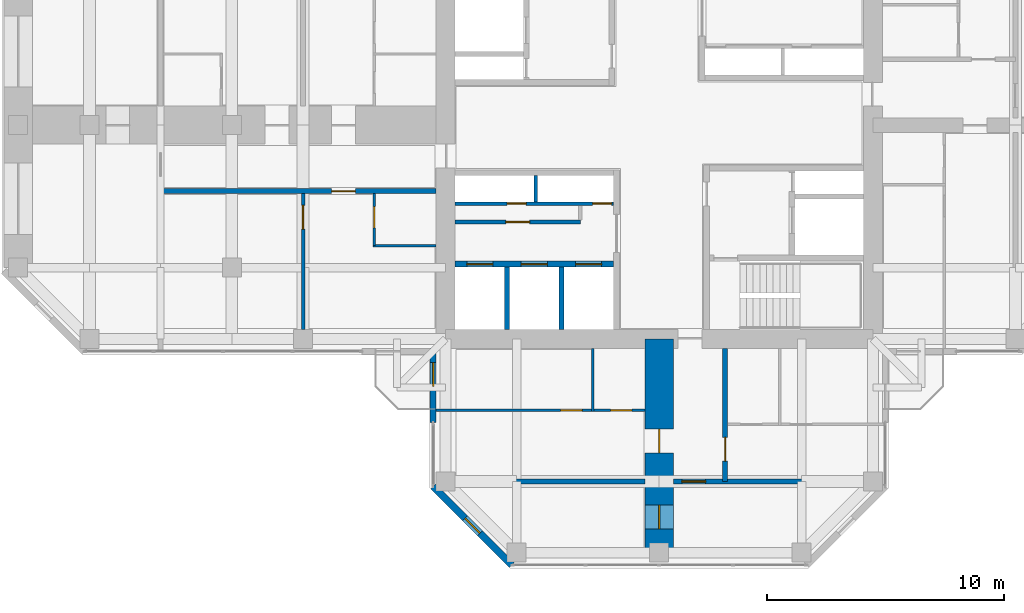
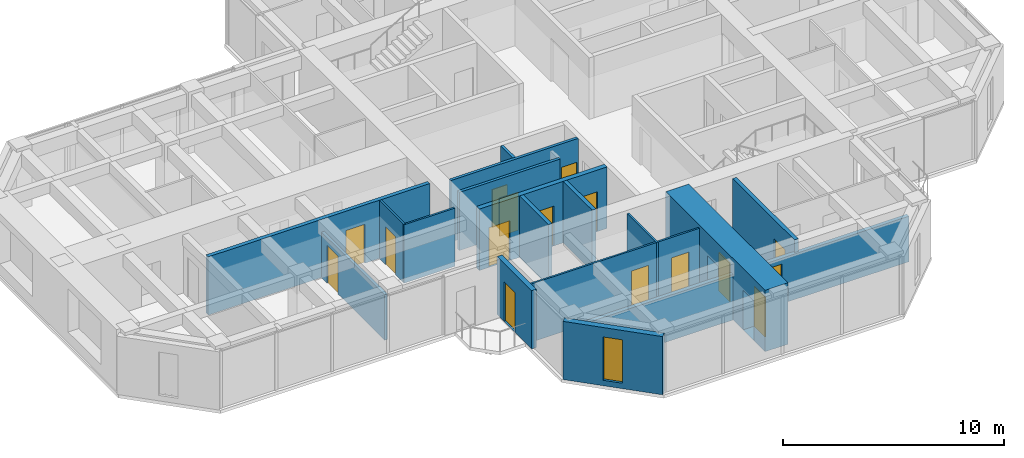
# One storey, part 8 of 13: 18 walls, 16 doors, 1 window, 17 openings.
"""IFC4 building model written with IfcOpenShell, lengths in metres."""

from ifc_helpers import new_model, si_unit, direction, frame, frame_2d, origin, place, context, subcontext, project, spatial, rectangle, hollow_rectangle, extrude, material, layer, layer_set, constituent, constituent_set, type_object, element, fill, save


model = new_model("IFC4")

# Units and contexts
model_context = context("Model", 3, precision=1e-05, world=origin(), true_north=direction((0.0, 1.0)))
body_context = subcontext(model_context, "Body", "Model", "MODEL_VIEW")
ifc_project = project(units=[si_unit("LENGTHUNIT", "METRE"), si_unit("AREAUNIT", "SQUARE_METRE"), si_unit("VOLUMEUNIT", "CUBIC_METRE"), si_unit("PLANEANGLEUNIT", "RADIAN"), si_unit("MASSUNIT", "GRAM", prefix="KILO")], contexts=[model_context])

# Site, building, storey
site_placement = place(None, origin())
site = spatial("IfcSite", under=ifc_project, at=site_placement, CompositionType="ELEMENT")
building_placement = place(site_placement, origin())
building = spatial("IfcBuilding", under=site, at=building_placement, Name="Torre Cruceta", CompositionType="ELEMENT")
storey_placement = place(building_placement, frame((0.0, 0.0, 239.10009765625)))
storey = spatial("IfcBuildingStorey", under=building, at=storey_placement, Name="L61", CompositionType="ELEMENT", Elevation=239.10009765625)

# Wall
ifc_material_1 = material(Name="Water-resistant plasterboard on steel studs", Category="steel")
ifc_layer_1 = layer(ifc_material_1, 0.10009765625)
ifc_layer_set_1 = layer_set([ifc_layer_1], Name="Water-resistant plasterboard on steel studs")
wall_type_1 = type_object("IfcWallType", Name="BATHROOM WALL 100", PredefinedType="PARTITIONING", material=ifc_layer_set_1)
wall_1_placement = place(storey_placement, frame((-2.800048828125, -9.39990234375, 0.0), z_axis=(0.0, 0.0, 1.0), x_axis=(0.0, -1.0, 0.0)))
element("IfcWall", 1, at=wall_1_placement, inside=storey, type_object=wall_type_1, Name="PT4 L61-S-U1RBB", PredefinedType="PARTITIONING", context=body_context, shape_type="SweptSolid", body=[
    extrude(rectangle(XDim=2.650146484375, YDim=0.10009765625, at=frame_2d((1.3251953125, 0.0))), origin(), (0.0, 0.0, 1.0), 3.219970703125),
])

# Wall, openings, doors
wall_2_placement = place(storey_placement, frame((-9.39501953125, -12.0, 0.0), z_axis=(0.0, 0.0, 1.0), x_axis=(1.0, 0.0, 0.0)))
wall_2 = element("IfcWall", 2, at=wall_2_placement, inside=storey, type_object=wall_type_1, Name="PT4 L61-S-U1RBS", PredefinedType="PARTITIONING", context=body_context, shape_type="SweptSolid", body=[
    extrude(rectangle(XDim=8.794921875, YDim=0.10009765625, at=frame_2d((4.3974609375, 0.0))), origin(), (0.0, 0.0, 1.0), 3.219970703125),
])
opening_1_placement = place(wall_2_placement, frame((5.2451171875, 0.0, 0.0)))
opening_1 = element("IfcOpeningElement", 3, at=opening_1_placement, cuts=wall_2, Name="Opening D7", PredefinedType="OPENING", context=body_context, shape_type="SweptSolid", body=[
    extrude(rectangle(XDim=0.89990234375, YDim=2.10009765625, at=frame_2d((0.449951171875, 1.050048828125))), frame((0.0, 0.06005859375, 0.0), z_axis=(0.0, -1.0, 0.0), x_axis=(1.0, 0.0, 0.0)), (0.0, 0.0, 1.0), 0.1201171875),
])
opening_2_placement = place(wall_2_placement, frame((7.344970703125, 0.0, 0.0)))
opening_2 = element("IfcOpeningElement", 4, at=opening_2_placement, cuts=wall_2, Name="Opening D7", PredefinedType="OPENING", context=body_context, shape_type="SweptSolid", body=[
    extrude(rectangle(XDim=0.89990234375, YDim=2.10009765625, at=frame_2d((0.449951171875, 1.050048828125))), frame((0.0, 0.06005859375, 0.0), z_axis=(0.0, -1.0, 0.0), x_axis=(1.0, 0.0, 0.0)), (0.0, 0.0, 1.0), 0.1201171875),
])
ifc_material_2 = material(Name="Timber door", Category="wood")
door_type_1 = type_object("IfcDoorType", Name="BATHROOM DOOR 900X2100", OperationType="SINGLE_SWING_LEFT", PredefinedType="DOOR", material=ifc_material_2)
door_1_placement = place(opening_1_placement, origin())
door_1 = element("IfcDoor", 5, at=door_1_placement, inside=storey, type_object=door_type_1, Name="D7 L61-S-U1RBS-D1", OperationType="SINGLE_SWING_RIGHT", OverallHeight=2.10009765625, OverallWidth=0.89990234375, PredefinedType="DOOR", context=body_context, shape_type="SweptSolid", body=[
    extrude(rectangle(XDim=0.89990234375, YDim=2.10009765625, at=frame_2d((0.449951171875, 1.050048828125))), frame((0.0, 0.02490234375, 0.0), z_axis=(0.0, -1.0, 0.0), x_axis=(1.0, 0.0, 0.0)), (0.0, 0.0, 1.0), 0.050048828125),
])
fill(opening_1, door_1)
door_2_placement = place(opening_2_placement, origin())
door_2 = element("IfcDoor", 6, at=door_2_placement, inside=storey, type_object=door_type_1, Name="D7 L61-S-U1RBS-D2", OperationType="SINGLE_SWING_RIGHT", OverallHeight=2.10009765625, OverallWidth=0.89990234375, PredefinedType="DOOR", context=body_context, shape_type="SweptSolid", body=[
    extrude(rectangle(XDim=0.89990234375, YDim=2.10009765625, at=frame_2d((0.449951171875, 1.050048828125))), frame((0.0, 0.02490234375, 0.0), z_axis=(0.0, -1.0, 0.0), x_axis=(1.0, 0.0, 0.0)), (0.0, 0.0, 1.0), 0.050048828125),
])
fill(opening_2, door_2)

# Wall
wall_3_placement = place(storey_placement, frame((-9.39990234375, -5.074951171875, 0.0), z_axis=(0.0, 0.0, 1.0), x_axis=(-1.0, 0.0, 0.0)))
element("IfcWall", 7, at=wall_3_placement, inside=storey, type_object=wall_type_1, Name="PT4 L61-W-U1LBB", PredefinedType="PARTITIONING", context=body_context, shape_type="SweptSolid", body=[
    extrude(rectangle(XDim=2.650146484375, YDim=0.10009765625, at=frame_2d((1.3251953125, 0.0))), origin(), (0.0, 0.0, 1.0), 3.219970703125),
])

# Wall, opening, door
wall_4_placement = place(storey_placement, frame((-12.0, -2.875, 0.0), z_axis=(0.0, 0.0, 1.0), x_axis=(0.0, -1.0, 0.0)))
wall_4 = element("IfcWall", 8, at=wall_4_placement, inside=storey, type_object=wall_type_1, Name="PT4 L61-W-U1LBS", PredefinedType="PARTITIONING", context=body_context, shape_type="SweptSolid", body=[
    extrude(rectangle(XDim=2.199951171875, YDim=0.10009765625, at=frame_2d((1.10009765625, 0.0))), origin(), (0.0, 0.0, 1.0), 3.219970703125),
])
opening_3_placement = place(wall_4_placement, frame((0.550048828125, 0.0, 0.0)))
opening_3 = element("IfcOpeningElement", 9, at=opening_3_placement, cuts=wall_4, Name="Opening D7", PredefinedType="OPENING", context=body_context, shape_type="SweptSolid", body=[
    extrude(rectangle(XDim=0.89990234375, YDim=2.10009765625, at=frame_2d((0.449951171875, 1.050048828125))), frame((0.0, 0.06005859375, 0.0), z_axis=(0.0, -1.0, 0.0), x_axis=(1.0, 0.0, 0.0)), (0.0, 0.0, 1.0), 0.1201171875),
])
door_3_placement = place(opening_3_placement, origin())
door_3 = element("IfcDoor", 10, at=door_3_placement, inside=storey, type_object=door_type_1, Name="D7 L61-W-U1LBS-D1", OperationType="SINGLE_SWING_LEFT", OverallHeight=2.10009765625, OverallWidth=0.89990234375, PredefinedType="DOOR", context=body_context, shape_type="SweptSolid", body=[
    extrude(rectangle(XDim=0.89990234375, YDim=2.10009765625, at=frame_2d((0.449951171875, 1.050048828125))), frame((0.0, 0.02490234375, 0.0), z_axis=(0.0, -1.0, 0.0), x_axis=(1.0, 0.0, 0.0)), (0.0, 0.0, 1.0), 0.050048828125),
])
fill(opening_3, door_3)

# Wall, openings, doors
ifc_material_3 = material(Name="Concrete G60 (fck 60 MPa)", Category="concrete")
ifc_layer_2 = layer(ifc_material_3, 0.25)
ifc_layer_set_2 = layer_set([ifc_layer_2], Name="Concrete G60 (fck 60 MPa)")
wall_type_2 = type_object("IfcWallType", Name="CORE INNER WALL 250 G60", PredefinedType="SHEAR", material=ifc_layer_set_2)
wall_5_placement = place(storey_placement, frame((-1.925048828125, -5.85009765625, 0.0), z_axis=(0.0, 0.0, 1.0), x_axis=(-1.0, 0.0, 0.0)))
wall_5 = element("IfcWall", 11, at=wall_5_placement, inside=storey, type_object=wall_type_2, Name="CW4 L61 SW-LV", PredefinedType="SHEAR", context=body_context, shape_type="SweptSolid", body=[
    extrude(rectangle(XDim=6.675048828125, YDim=0.25, at=frame_2d((3.33740234375, 0.0))), origin(), (0.0, 0.0, 1.0), 3.39990234375),
])
opening_4_placement = place(wall_5_placement, frame((0.495849609375, 0.0, 0.0)))
opening_4 = element("IfcOpeningElement", 12, at=opening_4_placement, cuts=wall_5, Name="Opening LD1", PredefinedType="OPENING", context=body_context, shape_type="SweptSolid", body=[
    extrude(rectangle(XDim=1.10009765625, YDim=2.199951171875, at=frame_2d((0.550048828125, 1.10009765625))), frame((0.0, 0.135009765625, 0.0), z_axis=(0.0, -1.0, 0.0), x_axis=(1.0, 0.0, 0.0)), (0.0, 0.0, 1.0), 0.27001953125),
])
opening_5_placement = place(wall_5_placement, frame((2.78759765625, 0.0, 0.0)))
opening_5 = element("IfcOpeningElement", 13, at=opening_5_placement, cuts=wall_5, Name="Opening LD1", PredefinedType="OPENING", context=body_context, shape_type="SweptSolid", body=[
    extrude(rectangle(XDim=1.10009765625, YDim=2.199951171875, at=frame_2d((0.550048828125, 1.10009765625))), frame((0.0, 0.135009765625, 0.0), z_axis=(0.0, -1.0, 0.0), x_axis=(1.0, 0.0, 0.0)), (0.0, 0.0, 1.0), 0.27001953125),
])
opening_6_placement = place(wall_5_placement, frame((5.0791015625, 0.0, 0.0)))
opening_6 = element("IfcOpeningElement", 14, at=opening_6_placement, cuts=wall_5, Name="Opening LD1", PredefinedType="OPENING", context=body_context, shape_type="SweptSolid", body=[
    extrude(rectangle(XDim=1.10009765625, YDim=2.199951171875, at=frame_2d((0.550048828125, 1.10009765625))), frame((0.0, 0.135009765625, 0.0), z_axis=(0.0, -1.0, 0.0), x_axis=(1.0, 0.0, 0.0)), (0.0, 0.0, 1.0), 0.27001953125),
])
ifc_material_4 = material(Name="Stainless steel 1.4401", Category="steel")
door_type_2 = type_object("IfcDoorType", Name="LIFT LANDING DOOR 1100X2200", OperationType="DOUBLE_DOOR_SLIDING", PredefinedType="DOOR", material=ifc_material_4)
door_4_placement = place(opening_4_placement, origin())
door_4 = element("IfcDoor", 15, at=door_4_placement, inside=storey, type_object=door_type_2, Name="Lift landing door R1", OperationType="DOUBLE_DOOR_SLIDING", OverallHeight=2.199951171875, OverallWidth=1.10009765625, PredefinedType="DOOR", context=body_context, shape_type="SweptSolid", body=[
    extrude(rectangle(XDim=1.10009765625, YDim=2.199951171875, at=frame_2d((0.550048828125, 1.10009765625))), frame((0.0, 0.02490234375, 0.0), z_axis=(0.0, -1.0, 0.0), x_axis=(1.0, 0.0, 0.0)), (0.0, 0.0, 1.0), 0.050048828125),
])
fill(opening_4, door_4)
door_5_placement = place(opening_5_placement, origin())
door_5 = element("IfcDoor", 16, at=door_5_placement, inside=storey, type_object=door_type_2, Name="Lift landing door R2", OperationType="DOUBLE_DOOR_SLIDING", OverallHeight=2.199951171875, OverallWidth=1.10009765625, PredefinedType="DOOR", context=body_context, shape_type="SweptSolid", body=[
    extrude(rectangle(XDim=1.10009765625, YDim=2.199951171875, at=frame_2d((0.550048828125, 1.10009765625))), frame((0.0, 0.02490234375, 0.0), z_axis=(0.0, -1.0, 0.0), x_axis=(1.0, 0.0, 0.0)), (0.0, 0.0, 1.0), 0.050048828125),
])
fill(opening_5, door_5)
door_6_placement = place(opening_6_placement, origin())
door_6 = element("IfcDoor", 17, at=door_6_placement, inside=storey, type_object=door_type_2, Name="Lift landing door R3", OperationType="DOUBLE_DOOR_SLIDING", OverallHeight=2.199951171875, OverallWidth=1.10009765625, PredefinedType="DOOR", context=body_context, shape_type="SweptSolid", body=[
    extrude(rectangle(XDim=1.10009765625, YDim=2.199951171875, at=frame_2d((0.550048828125, 1.10009765625))), frame((0.0, 0.02490234375, 0.0), z_axis=(0.0, -1.0, 0.0), x_axis=(1.0, 0.0, 0.0)), (0.0, 0.0, 1.0), 0.050048828125),
])
fill(opening_6, door_6)

# Wall, opening, door
ifc_material_5 = material(Name="Concrete G25 (fck 25 MPa)", Category="concrete")
ifc_layer_3 = layer(ifc_material_5, 0.199951171875)
ifc_layer_set_3 = layer_set([ifc_layer_3], Name="Concrete G25 (fck 25 MPa)")
wall_type_3 = type_object("IfcWallType", Name="CORRIDOR WALL 200", PredefinedType="SOLIDWALL", material=ifc_layer_set_3)
wall_6_placement = place(storey_placement, frame((2.77490234375, -9.39990234375, 0.0), z_axis=(0.0, 0.0, 1.0), x_axis=(0.0, -1.0, 0.0)))
wall_6 = element("IfcWall", 18, at=wall_6_placement, inside=storey, type_object=wall_type_3, Name="PT3 L61-S-CL", PredefinedType="SOLIDWALL", context=body_context, shape_type="SweptSolid", body=[
    extrude(rectangle(XDim=5.60009765625, YDim=0.199951171875, at=frame_2d((2.800048828125, 0.0))), origin(), (0.0, 0.0, 1.0), 3.219970703125),
])
opening_7_placement = place(wall_6_placement, frame((3.75, 0.0, 0.0)))
opening_7 = element("IfcOpeningElement", 19, at=opening_7_placement, cuts=wall_6, Name="Opening D6", PredefinedType="OPENING", context=body_context, shape_type="SweptSolid", body=[
    extrude(rectangle(XDim=1.0, YDim=2.14990234375, at=frame_2d((0.5, 1.074951171875))), frame((0.0, 0.10986328125, 0.0), z_axis=(0.0, -1.0, 0.0), x_axis=(1.0, 0.0, 0.0)), (0.0, 0.0, 1.0), 0.219970703125),
])
ifc_material_6 = material(Name="Timber fire door", Category="wood")
door_type_3 = type_object("IfcDoorType", Name="UNIT ENTRANCE DOOR 1000X2150", OperationType="SINGLE_SWING_LEFT", PredefinedType="DOOR", material=ifc_material_6)
door_7_placement = place(opening_7_placement, origin())
door_7 = element("IfcDoor", 20, at=door_7_placement, inside=storey, type_object=door_type_3, Name="D6 L61-S-CL-D1", OperationType="SINGLE_SWING_LEFT", OverallHeight=2.14990234375, OverallWidth=1.0, PredefinedType="DOOR", context=body_context, shape_type="SweptSolid", body=[
    extrude(rectangle(XDim=1.0, YDim=2.14990234375, at=frame_2d((0.5, 1.074951171875))), frame((0.0, 0.02490234375, 0.0), z_axis=(0.0, -1.0, 0.0), x_axis=(1.0, 0.0, 0.0)), (0.0, 0.0, 1.0), 0.050048828125),
])
fill(opening_7, door_7)

wall_7_placement = place(storey_placement, frame((-9.39990234375, -2.77490234375, 0.0), z_axis=(0.0, 0.0, 1.0), x_axis=(-1.0, 0.0, 0.0)))
wall_7 = element("IfcWall", 21, at=wall_7_placement, inside=storey, type_object=wall_type_3, Name="PT3 L61-W-CL", PredefinedType="SOLIDWALL", context=body_context, shape_type="SweptSolid", body=[
    extrude(rectangle(XDim=11.60009765625, YDim=0.199951171875, at=frame_2d((5.800048828125, 0.0))), origin(), (0.0, 0.0, 1.0), 3.219970703125),
])
opening_8_placement = place(wall_7_placement, frame((3.39990234375, 0.0, 0.0)))
opening_8 = element("IfcOpeningElement", 22, at=opening_8_placement, cuts=wall_7, Name="Opening D6", PredefinedType="OPENING", context=body_context, shape_type="SweptSolid", body=[
    extrude(rectangle(XDim=1.0, YDim=2.14990234375, at=frame_2d((0.5, 1.074951171875))), frame((0.0, 0.10986328125, 0.0), z_axis=(0.0, -1.0, 0.0), x_axis=(1.0, 0.0, 0.0)), (0.0, 0.0, 1.0), 0.219970703125),
])
door_8_placement = place(opening_8_placement, origin())
door_8 = element("IfcDoor", 23, at=door_8_placement, inside=storey, type_object=door_type_3, Name="D6 L61-W-CL-D1", OperationType="SINGLE_SWING_LEFT", OverallHeight=2.14990234375, OverallWidth=1.0, PredefinedType="DOOR", context=body_context, shape_type="SweptSolid", body=[
    extrude(rectangle(XDim=1.0, YDim=2.14990234375, at=frame_2d((0.5, 1.074951171875))), frame((0.0, 0.02490234375, 0.0), z_axis=(0.0, -1.0, 0.0), x_axis=(1.0, 0.0, 0.0)), (0.0, 0.0, 1.0), 0.050048828125),
])
fill(opening_8, door_8)

# Wall, opening, window
ifc_material_7 = material(Name="Concrete G30 (fck 30 MPa)", Category="concrete")
ifc_layer_4 = layer(ifc_material_7, 0.300048828125)
ifc_layer_set_4 = layer_set([ifc_layer_4], Name="Concrete G30 (fck 30 MPa)")
wall_type_4 = type_object("IfcWallType", Name="EXPOSED CONCRETE FACADE WALL 300", PredefinedType="SOLIDWALL", material=ifc_layer_set_4)
wall_8_placement = place(storey_placement, frame((-9.52001953125, -15.21533203125, 0.0), z_axis=(0.0, 0.0, 1.0), x_axis=(0.707106781187, -0.707106781187, 0.0)))
wall_8 = element("IfcWall", 24, at=wall_8_placement, inside=storey, type_object=wall_type_4, Name="EW1 facade wall L61 S chamfer 16", PredefinedType="SOLIDWALL", context=body_context, shape_type="SweptSolid", body=[
    extrude(rectangle(XDim=4.673583984375, YDim=0.300048828125, at=frame_2d((2.3369140625, 0.0))), origin(), (0.0, 0.0, 1.0), 3.219970703125),
])
opening_9_placement = place(wall_8_placement, frame((1.88671875, 0.0, 0.300048828125)))
opening_9 = element("IfcOpeningElement", 25, at=opening_9_placement, cuts=wall_8, Name="Opening WN5", PredefinedType="OPENING", context=body_context, shape_type="SweptSolid", body=[
    extrude(rectangle(XDim=0.89990234375, YDim=2.39990234375, at=frame_2d((0.449951171875, 1.199951171875))), frame((0.0, 0.159912109375, 0.0), z_axis=(0.0, -1.0, 0.0), x_axis=(1.0, 0.0, 0.0)), (0.0, 0.0, 1.0), 0.320068359375),
])
ifc_material_8 = material(Name="Aluminium window frame", Category="aluminium")
ifc_constituent_1 = constituent(ifc_material_8, Name="Frame")
ifc_material_9 = material(Name="Laminated insulating glass unit, low-iron clear", Category="glass")
ifc_constituent_2 = constituent(ifc_material_9, Name="Glazing")
ifc_constituent_set_1 = constituent_set(constituents=[ifc_constituent_1, ifc_constituent_2], Name="Aluminium window")
window_type = type_object("IfcWindowType", Name="CHAMFER SLOT WINDOW 900X2400", PartitioningType="SINGLE_PANEL", PredefinedType="WINDOW", material=ifc_constituent_set_1)
window_placement = place(opening_9_placement, origin())
window = element("IfcWindow", 26, at=window_placement, inside=storey, type_object=window_type, Name="WN5 L61 S 1", OverallHeight=2.39990234375, OverallWidth=0.89990234375, PartitioningType="SINGLE_PANEL", PredefinedType="WINDOW", context=body_context, shape_type="SweptSolid", body=[
    extrude(hollow_rectangle(XDim=0.89990234375, YDim=2.39990234375, WallThickness=0.06005859375, at=frame_2d((0.449951171875, 1.199951171875))), frame((0.0, 0.030029296875, 0.0), z_axis=(0.0, -1.0, 0.0), x_axis=(1.0, 0.0, 0.0)), (0.0, 0.0, 1.0), 0.06005859375),
    extrude(rectangle(XDim=0.77880859375, YDim=2.27880859375, at=frame_2d((0.449951171875, 1.199951171875))), frame((0.0, 0.030029296875, 0.0), z_axis=(0.0, -1.0, 0.0), x_axis=(1.0, 0.0, 0.0)), (0.0, 0.0, 1.0), 0.06005859375),
])
fill(opening_9, window)

# Walls
ifc_material_10 = material(Name="Concrete G35 (fck 35 MPa)", Category="concrete")
ifc_layer_5 = layer(ifc_material_10, 0.199951171875)
ifc_layer_set_5 = layer_set([ifc_layer_5], Name="Concrete G35 (fck 35 MPa)")
wall_type_5 = type_object("IfcWallType", Name="LIFT SHAFT WALL 200", PredefinedType="PARTITIONING", material=ifc_layer_set_5)
for number, where, z_axis, x_axis, name in (
    (27, (-4.11669921875, -5.97509765625, 0.0), (0.0, 0.0, 1.0), (0.0, -1.0, 0.0), "SW1 L61 SW-LS1"),
    (28, (-6.408447265625, -5.97509765625, 0.0), (0.0, 0.0, 1.0), (0.0, -1.0, 0.0), "SW1 L61 SW-LS2"),
):
    element("IfcWall", number, at=place(storey_placement, frame(where, z_axis=z_axis, x_axis=x_axis)), inside=storey, type_object=wall_type_5, Name=name, PredefinedType="PARTITIONING", context=body_context, shape_type="SweptSolid", body=[
        extrude(rectangle(XDim=2.625, YDim=0.199951171875, at=frame_2d((1.3125, 0.0))), origin(), (0.0, 0.0, 1.0), 3.39990234375),
    ])

# Wall, opening, door
ifc_material_11 = material(Name="Plasterboard on steel studs", Category="steel")
ifc_layer_6 = layer(ifc_material_11, 0.14990234375)
ifc_layer_set_6 = layer_set([ifc_layer_6], Name="Plasterboard on steel studs")
wall_type_6 = type_object("IfcWallType", Name="PARTITION 150", PredefinedType="PARTITIONING", material=ifc_layer_set_6)
wall_9_placement = place(storey_placement, frame((-3.324951171875, -4.074951171875, 0.0), z_axis=(0.0, 0.0, 1.0), x_axis=(-1.0, 0.0, 0.0)))
wall_9 = element("IfcWall", 29, at=wall_9_placement, inside=storey, type_object=wall_type_6, Name="PT1 L61-CORE-SW-CUPBOARD", PredefinedType="PARTITIONING", context=body_context, shape_type="SweptSolid", body=[
    extrude(rectangle(XDim=5.275146484375, YDim=0.14990234375, at=frame_2d((2.6376953125, 0.0))), origin(), (0.0, 0.0, 1.0), 3.219970703125),
])
opening_10_placement = place(wall_9_placement, frame((2.137451171875, 0.0, 0.0)))
opening_10 = element("IfcOpeningElement", 30, at=opening_10_placement, cuts=wall_9, Name="Opening D19", PredefinedType="OPENING", context=body_context, shape_type="SweptSolid", body=[
    extrude(rectangle(XDim=1.0, YDim=2.10009765625, at=frame_2d((0.5, 1.050048828125))), frame((0.0, 0.0849609375, 0.0), z_axis=(0.0, -1.0, 0.0), x_axis=(1.0, 0.0, 0.0)), (0.0, 0.0, 1.0), 0.169921875),
])
ifc_material_12 = material(Name="Timber fire door", Category="wood")
door_type_4 = type_object("IfcDoorType", Name="CUPBOARD PAIR OF DOORS 1000X2100", OperationType="DOUBLE_DOOR_SINGLE_SWING", PredefinedType="DOOR", material=ifc_material_12)
door_9_placement = place(opening_10_placement, frame((1.0, 0.0, 0.0), z_axis=(0.0, 0.0, 1.0), x_axis=(-1.0, 0.0, 0.0)))
door_9 = element("IfcDoor", 31, at=door_9_placement, inside=storey, type_object=door_type_4, Name="D19 L61-CORE-SW-CUPBOARD-D1", OperationType="DOUBLE_DOOR_SINGLE_SWING", OverallHeight=2.10009765625, OverallWidth=1.0, PredefinedType="DOOR", context=body_context, shape_type="SweptSolid", body=[
    extrude(rectangle(XDim=1.0, YDim=2.10009765625, at=frame_2d((0.5, 1.050048828125))), frame((0.0, 0.025146484375, 0.0), z_axis=(0.0, -1.0, 0.0), x_axis=(1.0, 0.0, 0.0)), (0.0, 0.0, 1.0), 0.050048828125),
])
fill(opening_10, door_9)

wall_10_placement = place(storey_placement, frame((-15.0, -2.875, 0.0), z_axis=(0.0, 0.0, 1.0), x_axis=(0.0, -1.0, 0.0)))
wall_10 = element("IfcWall", 32, at=wall_10_placement, inside=storey, type_object=wall_type_6, Name="PT1 L61-W-P1L", PredefinedType="PARTITIONING", context=body_context, shape_type="SweptSolid", body=[
    extrude(rectangle(XDim=5.72509765625, YDim=0.14990234375, at=frame_2d((2.862548828125, 0.0))), origin(), (0.0, 0.0, 1.0), 2.52001953125),
])
opening_11_placement = place(wall_10_placement, frame((0.5, 0.0, 0.0)))
opening_11 = element("IfcOpeningElement", 33, at=opening_11_placement, cuts=wall_10, Name="Opening D3", PredefinedType="OPENING", context=body_context, shape_type="SweptSolid", body=[
    extrude(rectangle(XDim=1.0, YDim=2.10009765625, at=frame_2d((0.5, 1.050048828125))), frame((0.0, 0.0849609375, 0.0), z_axis=(0.0, -1.0, 0.0), x_axis=(1.0, 0.0, 0.0)), (0.0, 0.0, 1.0), 0.169921875),
])
ifc_material_13 = material(Name="Steel DX51D", Category="steel")
ifc_constituent_3 = constituent(ifc_material_13, Name="Leaf and frame")
ifc_material_14 = material(Name="Polyester powder coating", Category="paint")
ifc_constituent_4 = constituent(ifc_material_14, Name="Finish")
ifc_constituent_set_2 = constituent_set(constituents=[ifc_constituent_3, ifc_constituent_4], Name="Steel fire door")
door_type_5 = type_object("IfcDoorType", Name="FIRE DOOR 1000X2100", OperationType="SINGLE_SWING_LEFT", PredefinedType="DOOR", material=ifc_constituent_set_2)
door_10_placement = place(opening_11_placement, origin())
door_10 = element("IfcDoor", 34, at=door_10_placement, inside=storey, type_object=door_type_5, Name="D3 L61-W-P1L-D1", OperationType="SINGLE_SWING_LEFT", OverallHeight=2.10009765625, OverallWidth=1.0, PredefinedType="DOOR", context=body_context, shape_type="SweptSolid", body=[
    extrude(rectangle(XDim=1.0, YDim=2.10009765625, at=frame_2d((0.5, 1.050048828125))), frame((0.0, 0.02490234375, 0.0), z_axis=(0.0, -1.0, 0.0), x_axis=(1.0, 0.0, 0.0)), (0.0, 0.0, 1.0), 0.050048828125),
])
fill(opening_11, door_10)

# Wall, openings, doors
ifc_material_15 = material(Name="Concrete block masonry", Category="masonry")
ifc_layer_7 = layer(ifc_material_15, 0.14990234375)
ifc_layer_set_7 = layer_set([ifc_layer_7], Name="Concrete block masonry")
wall_type_7 = type_object("IfcWallType", Name="RISER WALL 150", PredefinedType="PARTITIONING", material=ifc_layer_set_7)
wall_11_placement = place(storey_placement, frame((-1.925048828125, -3.300048828125, 0.0), z_axis=(0.0, 0.0, 1.0), x_axis=(-1.0, 0.0, 0.0)))
wall_11 = element("IfcWall", 35, at=wall_11_placement, inside=storey, type_object=wall_type_7, Name="SW7 L61 SW-RV", PredefinedType="PARTITIONING", context=body_context, shape_type="SweptSolid", body=[
    extrude(rectangle(XDim=6.675048828125, YDim=0.14990234375, at=frame_2d((3.33740234375, 0.0))), origin(), (0.0, 0.0, 1.0), 3.39990234375),
])
opening_12_placement = place(wall_11_placement, frame((0.074951171875, 0.0, 0.0)))
opening_12 = element("IfcOpeningElement", 36, at=opening_12_placement, cuts=wall_11, Name="Opening D5", PredefinedType="OPENING", context=body_context, shape_type="SweptSolid", body=[
    extrude(rectangle(XDim=0.800048828125, YDim=2.10009765625, at=frame_2d((0.39990234375, 1.050048828125))), frame((0.0, 0.0849609375, 0.0), z_axis=(0.0, -1.0, 0.0), x_axis=(1.0, 0.0, 0.0)), (0.0, 0.0, 1.0), 0.169921875),
])
opening_13_placement = place(wall_11_placement, frame((3.675048828125, 0.0, 0.0)))
opening_13 = element("IfcOpeningElement", 37, at=opening_13_placement, cuts=wall_11, Name="Opening D5", PredefinedType="OPENING", context=body_context, shape_type="SweptSolid", body=[
    extrude(rectangle(XDim=0.800048828125, YDim=2.10009765625, at=frame_2d((0.39990234375, 1.050048828125))), frame((0.0, 0.0849609375, 0.0), z_axis=(0.0, -1.0, 0.0), x_axis=(1.0, 0.0, 0.0)), (0.0, 0.0, 1.0), 0.169921875),
])
ifc_material_16 = material(Name="Steel DX51D", Category="steel")
ifc_constituent_5 = constituent(ifc_material_16, Name="Leaf and frame")
ifc_material_17 = material(Name="Polyester powder coating", Category="paint")
ifc_constituent_6 = constituent(ifc_material_17, Name="Finish")
ifc_constituent_set_3 = constituent_set(constituents=[ifc_constituent_5, ifc_constituent_6], Name="Steel fire door")
door_type_6 = type_object("IfcDoorType", Name="RISER ACCESS DOOR 800X2100", OperationType="SINGLE_SWING_LEFT", PredefinedType="DOOR", material=ifc_constituent_set_3)
door_11_placement = place(opening_12_placement, frame((0.800048828125, 0.0, 0.0), z_axis=(0.0, 0.0, 1.0), x_axis=(-1.0, 0.0, 0.0)))
door_11 = element("IfcDoor", 38, at=door_11_placement, inside=storey, type_object=door_type_6, Name="D5 L61 SW-RISER1", OperationType="SINGLE_SWING_RIGHT", OverallHeight=2.10009765625, OverallWidth=0.800048828125, PredefinedType="DOOR", context=body_context, shape_type="SweptSolid", body=[
    extrude(rectangle(XDim=0.800048828125, YDim=2.10009765625, at=frame_2d((0.400146484375, 1.050048828125))), frame((0.0, 0.025146484375, 0.0), z_axis=(0.0, -1.0, 0.0), x_axis=(1.0, 0.0, 0.0)), (0.0, 0.0, 1.0), 0.050048828125),
])
fill(opening_12, door_11)
door_12_placement = place(opening_13_placement, frame((0.800048828125, 0.0, 0.0), z_axis=(0.0, 0.0, 1.0), x_axis=(-1.0, 0.0, 0.0)))
door_12 = element("IfcDoor", 39, at=door_12_placement, inside=storey, type_object=door_type_6, Name="D5 L61 SW-RISER2", OperationType="SINGLE_SWING_RIGHT", OverallHeight=2.10009765625, OverallWidth=0.800048828125, PredefinedType="DOOR", context=body_context, shape_type="SweptSolid", body=[
    extrude(rectangle(XDim=0.800048828125, YDim=2.10009765625, at=frame_2d((0.400146484375, 1.050048828125))), frame((0.0, 0.025146484375, 0.0), z_axis=(0.0, -1.0, 0.0), x_axis=(1.0, 0.0, 0.0)), (0.0, 0.0, 1.0), 0.050048828125),
])
fill(opening_13, door_12)

# Wall
wall_12_placement = place(storey_placement, frame((-5.199951171875, -2.125, 0.0), z_axis=(0.0, 0.0, 1.0), x_axis=(0.0, -1.0, 0.0)))
element("IfcWall", 40, at=wall_12_placement, inside=storey, type_object=wall_type_7, Name="SW7 L61 SW-RU", PredefinedType="PARTITIONING", context=body_context, shape_type="SweptSolid", body=[
    extrude(rectangle(XDim=1.10009765625, YDim=0.14990234375, at=frame_2d((0.550048828125, 0.0))), origin(), (0.0, 0.0, 1.0), 3.39990234375),
])

# Wall, openings, doors
ifc_material_18 = material(Name="Concrete G60 (fck 60 MPa)", Category="concrete")
ifc_layer_8 = layer(ifc_material_18, 1.199951171875)
ifc_layer_set_8 = layer_set([ifc_layer_8], Name="Concrete G60 (fck 60 MPa)")
wall_type_8 = type_object("IfcWallType", Name="SPINE WALL 1200 G60", PredefinedType="SHEAR", material=ifc_layer_set_8)
wall_13_placement = place(storey_placement, frame((0.0, -9.0, 0.0), z_axis=(0.0, 0.0, 1.0), x_axis=(0.0, -1.0, 0.0)))
wall_13 = element("IfcWall", 41, at=wall_13_placement, inside=storey, type_object=wall_type_8, Name="SW3 spine wall L61 S", PredefinedType="SHEAR", context=body_context, shape_type="SweptSolid", body=[
    extrude(rectangle(XDim=9.0, YDim=1.199951171875, at=frame_2d((4.5, 0.0))), origin(), (0.0, 0.0, 1.0), 3.39990234375),
])
opening_14_placement = place(wall_13_placement, frame((3.800048828125, 0.0, 0.0)))
opening_14 = element("IfcOpeningElement", 42, at=opening_14_placement, cuts=wall_13, Name="Opening D6", PredefinedType="OPENING", context=body_context, shape_type="SweptSolid", body=[
    extrude(rectangle(XDim=1.0, YDim=2.14990234375, at=frame_2d((0.5, 1.074951171875))), frame((0.0, 0.60986328125, 0.0), z_axis=(0.0, -1.0, 0.0), x_axis=(1.0, 0.0, 0.0)), (0.0, 0.0, 1.0), 1.219970703125),
])
opening_15_placement = place(wall_13_placement, frame((7.0, 0.0, 0.0)))
opening_15 = element("IfcOpeningElement", 43, at=opening_15_placement, cuts=wall_13, Name="Opening D14", PredefinedType="OPENING", context=body_context, shape_type="SweptSolid", body=[
    extrude(rectangle(XDim=1.0, YDim=2.199951171875, at=frame_2d((0.5, 1.10009765625))), frame((0.0, 0.60986328125, 0.0), z_axis=(0.0, -1.0, 0.0), x_axis=(1.0, 0.0, 0.0)), (0.0, 0.0, 1.0), 1.219970703125),
])
ifc_material_19 = material(Name="Steel DX51D", Category="steel")
ifc_constituent_7 = constituent(ifc_material_19, Name="Leaf and frame")
ifc_material_20 = material(Name="Polyester powder coating", Category="paint")
ifc_constituent_8 = constituent(ifc_material_20, Name="Finish")
ifc_material_21 = material(Name="Fire-resisting glass", Category="glass")
ifc_constituent_9 = constituent(ifc_material_21, Name="Vision panel")
ifc_constituent_set_4 = constituent_set(constituents=[ifc_constituent_7, ifc_constituent_8, ifc_constituent_9], Name="Steel fire door with vision panel")
door_type_7 = type_object("IfcDoorType", Name="FIRE DOOR VISION PANEL 1000X2200", OperationType="SINGLE_SWING_RIGHT", PredefinedType="DOOR", material=ifc_constituent_set_4)
door_13_placement = place(opening_15_placement, origin())
door_13 = element("IfcDoor", 44, at=door_13_placement, inside=storey, type_object=door_type_7, Name="D14 L61-S-SP2", OperationType="SINGLE_SWING_LEFT", OverallHeight=2.199951171875, OverallWidth=1.0, PredefinedType="DOOR", context=body_context, shape_type="SweptSolid", body=[
    extrude(rectangle(XDim=1.0, YDim=2.199951171875, at=frame_2d((0.5, 1.10009765625))), frame((0.0, 0.02490234375, 0.0), z_axis=(0.0, -1.0, 0.0), x_axis=(1.0, 0.0, 0.0)), (0.0, 0.0, 1.0), 0.050048828125),
])
fill(opening_15, door_13)
door_14_placement = place(opening_14_placement, frame((1.0, 0.0, 0.0), z_axis=(0.0, 0.0, 1.0), x_axis=(-1.0, 0.0, 0.0)))
door_14 = element("IfcDoor", 45, at=door_14_placement, inside=storey, type_object=door_type_3, Name="D6 L61-S-SP1", OperationType="SINGLE_SWING_RIGHT", OverallHeight=2.14990234375, OverallWidth=1.0, PredefinedType="DOOR", context=body_context, shape_type="SweptSolid", body=[
    extrude(rectangle(XDim=1.0, YDim=2.14990234375, at=frame_2d((0.5, 1.074951171875))), frame((0.0, 0.025146484375, 0.0), z_axis=(0.0, -1.0, 0.0), x_axis=(1.0, 0.0, 0.0)), (0.0, 0.0, 1.0), 0.050048828125),
])
fill(opening_14, door_14)

# Wall
ifc_material_22 = material(Name="Concrete G25 (fck 25 MPa)", Category="concrete")
ifc_layer_9 = layer(ifc_material_22, 0.199951171875)
ifc_layer_set_9 = layer_set([ifc_layer_9], Name="Concrete G25 (fck 25 MPa)")
wall_type_9 = type_object("IfcWallType", Name="UNIT SEPARATING WALL 200", PredefinedType="SOLIDWALL", material=ifc_layer_set_9)
wall_14_placement = place(storey_placement, frame((-8.60009765625, -15.0, 0.0), z_axis=(0.0, 0.0, 1.0), x_axis=(1.0, 0.0, 0.0)))
element("IfcWall", 46, at=wall_14_placement, inside=storey, type_object=wall_type_9, Name="PT2 L61-S-ENDa", PredefinedType="SOLIDWALL", context=body_context, shape_type="SweptSolid", body=[
    extrude(rectangle(XDim=8.0, YDim=0.199951171875, at=frame_2d((4.0, 0.0))), origin(), (0.0, 0.0, 1.0), 2.52001953125),
])

# Wall, opening, door
wall_15_placement = place(storey_placement, frame((0.60009765625, -15.0, 0.0), z_axis=(0.0, 0.0, 1.0), x_axis=(1.0, 0.0, 0.0)))
wall_15 = element("IfcWall", 47, at=wall_15_placement, inside=storey, type_object=wall_type_9, Name="PT2 L61-S-ENDb", PredefinedType="SOLIDWALL", context=body_context, shape_type="SweptSolid", body=[
    extrude(rectangle(XDim=8.0, YDim=0.199951171875, at=frame_2d((4.0, 0.0))), origin(), (0.0, 0.0, 1.0), 2.52001953125),
])
opening_16_placement = place(wall_15_placement, frame((0.35009765625, 0.0, 0.0)))
opening_16 = element("IfcOpeningElement", 48, at=opening_16_placement, cuts=wall_15, Name="Opening D14", PredefinedType="OPENING", context=body_context, shape_type="SweptSolid", body=[
    extrude(rectangle(XDim=1.0, YDim=2.199951171875, at=frame_2d((0.5, 1.10009765625))), frame((0.0, 0.10986328125, 0.0), z_axis=(0.0, -1.0, 0.0), x_axis=(1.0, 0.0, 0.0)), (0.0, 0.0, 1.0), 0.219970703125),
])
door_15_placement = place(opening_16_placement, frame((1.0, 0.0, 0.0), z_axis=(0.0, 0.0, 1.0), x_axis=(-1.0, 0.0, 0.0)))
door_15 = element("IfcDoor", 49, at=door_15_placement, inside=storey, type_object=door_type_7, Name="D14 L61-S-ENDb-D1", OperationType="SINGLE_SWING_LEFT", OverallHeight=2.199951171875, OverallWidth=1.0, PredefinedType="DOOR", context=body_context, shape_type="SweptSolid", body=[
    extrude(rectangle(XDim=1.0, YDim=2.199951171875, at=frame_2d((0.5, 1.10009765625))), frame((0.0, 0.025146484375, 0.0), z_axis=(0.0, -1.0, 0.0), x_axis=(1.0, 0.0, 0.0)), (0.0, 0.0, 1.0), 0.050048828125),
])
fill(opening_16, door_15)

ifc_material_23 = material(Name="Concrete G30 (fck 30 MPa)", Category="concrete")
ifc_layer_10 = layer(ifc_material_23, 0.25)
ifc_layer_set_10 = layer_set([ifc_layer_10], Name="Concrete G30 (fck 30 MPa)")
wall_type_10 = type_object("IfcWallType", Name="WINTER GARDEN WALL 250", PredefinedType="SOLIDWALL", material=ifc_layer_set_10)
wall_16_placement = place(storey_placement, frame((-9.52001953125, -9.39501953125, 0.0), z_axis=(0.0, 0.0, 1.0), x_axis=(0.0, -1.0, 0.0)))
wall_16 = element("IfcWall", 50, at=wall_16_placement, inside=storey, type_object=wall_type_10, Name="EW2 winter garden wall L61 15", PredefinedType="SOLIDWALL", context=body_context, shape_type="SweptSolid", body=[
    extrude(rectangle(XDim=3.125, YDim=0.25, at=frame_2d((1.5625, 0.0))), origin(), (0.0, 0.0, 1.0), 3.219970703125),
])
opening_17_placement = place(wall_16_placement, frame((0.60009765625, 0.0, 0.0)))
opening_17 = element("IfcOpeningElement", 51, at=opening_17_placement, cuts=wall_16, Name="Opening D10", PredefinedType="OPENING", context=body_context, shape_type="SweptSolid", body=[
    extrude(rectangle(XDim=1.0, YDim=2.199951171875, at=frame_2d((0.5, 1.10009765625))), frame((0.0, 0.135009765625, 0.0), z_axis=(0.0, -1.0, 0.0), x_axis=(1.0, 0.0, 0.0)), (0.0, 0.0, 1.0), 0.27001953125),
])
ifc_material_24 = material(Name="Aluminium door frame", Category="aluminium")
ifc_constituent_10 = constituent(ifc_material_24, Name="Frame")
ifc_material_25 = material(Name="Laminated safety glass", Category="glass")
ifc_constituent_11 = constituent(ifc_material_25, Name="Glazing")
ifc_constituent_set_5 = constituent_set(constituents=[ifc_constituent_10, ifc_constituent_11], Name="Aluminium glazed door")
door_type_8 = type_object("IfcDoorType", Name="BALCONY DOOR 1000X2200", OperationType="SINGLE_SWING_RIGHT", PredefinedType="DOOR", material=ifc_constituent_set_5)
door_16_placement = place(opening_17_placement, origin())
door_16 = element("IfcDoor", 52, at=door_16_placement, inside=storey, type_object=door_type_8, Name="D10 balcony door L61 15", OperationType="SINGLE_SWING_RIGHT", OverallHeight=2.199951171875, OverallWidth=1.0, PredefinedType="DOOR", context=body_context, shape_type="SweptSolid", body=[
    extrude(hollow_rectangle(XDim=1.0, YDim=2.199951171875, WallThickness=0.06005859375, at=frame_2d((0.5, 1.10009765625))), frame((0.0, 0.02490234375, 0.0), z_axis=(0.0, -1.0, 0.0), x_axis=(1.0, 0.0, 0.0)), (0.0, 0.0, 1.0), 0.050048828125),
    extrude(rectangle(XDim=0.87890625, YDim=2.078857421875, at=frame_2d((0.5, 1.10009765625))), frame((0.0, 0.02490234375, 0.0), z_axis=(0.0, -1.0, 0.0), x_axis=(1.0, 0.0, 0.0)), (0.0, 0.0, 1.0), 0.050048828125),
])
fill(opening_17, door_16)

save(model, "model.ifc")
